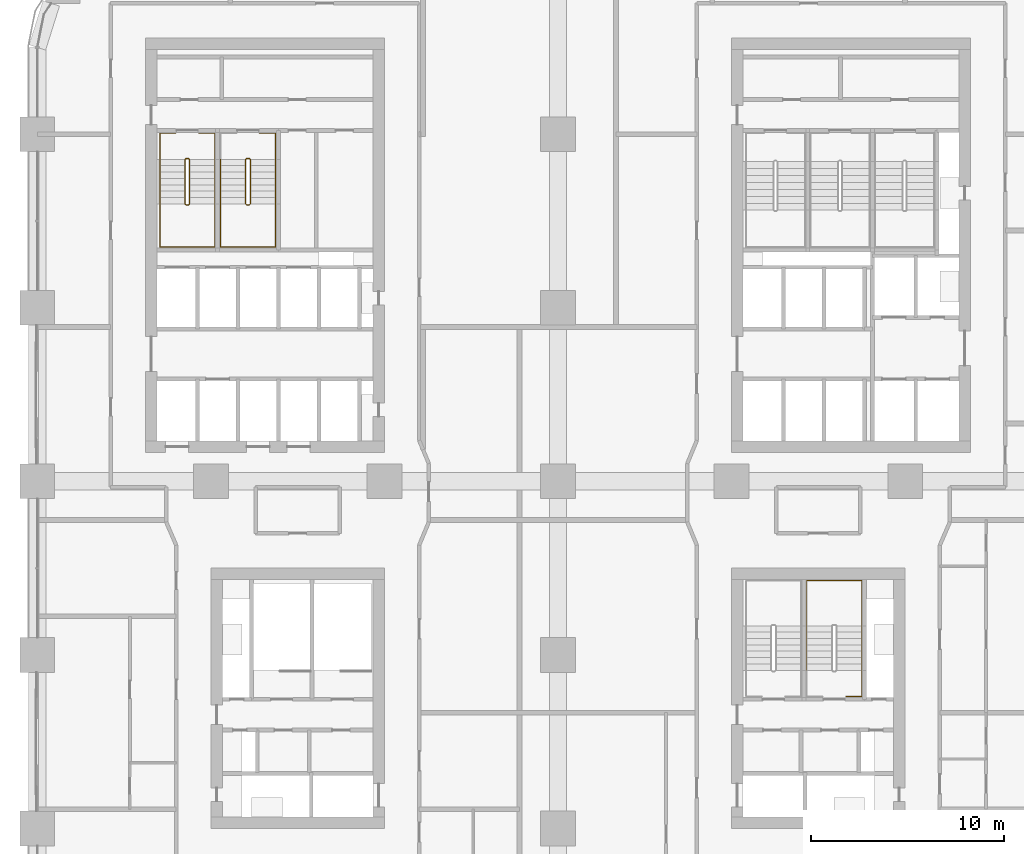
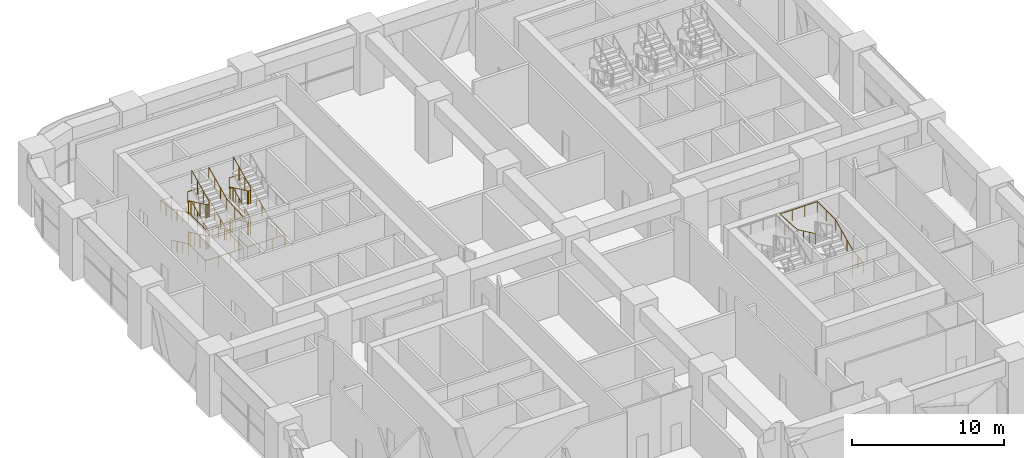
# One storey, part 24 of 26: 6 railings.
"""IFC4 building model written with IfcOpenShell, lengths in metres."""

from ifc_helpers import new_model, si_unit, direction, frame, origin, origin_2d, place, context, subcontext, project, spatial, circle, extrude, material, type_object, element, save


model = new_model("IFC4")

# Units and contexts
model_context = context("Model", 3, precision=1e-05, world=origin(), true_north=direction((0.0, 1.0)))
body_context = subcontext(model_context, "Body", "Model", "MODEL_VIEW")
ifc_project = project(units=[si_unit("LENGTHUNIT", "METRE"), si_unit("AREAUNIT", "SQUARE_METRE"), si_unit("VOLUMEUNIT", "CUBIC_METRE"), si_unit("PLANEANGLEUNIT", "RADIAN"), si_unit("MASSUNIT", "GRAM", prefix="KILO")], contexts=[model_context])

# Site, building, storey
site_placement = place(None, origin())
site = spatial("IfcSite", under=ifc_project, at=site_placement, CompositionType="ELEMENT")
building_placement = place(site_placement, origin())
building = spatial("IfcBuilding", under=site, at=building_placement, Name="Tessera Arch", CompositionType="ELEMENT")
storey_placement = place(building_placement, frame((0.0, 0.0, 72.800048828125)))
storey = spatial("IfcBuildingStorey", under=building, at=storey_placement, Name="L16", CompositionType="ELEMENT", Elevation=72.800048828125)

# Railings
ifc_material_1 = material(Name="Painted steel balustrade", Category="steel")
railing_type_1 = type_object("IfcRailingType", Name="Stair guard 1100", PredefinedType="GUARDRAIL", material=ifc_material_1)
railing_1_placement = place(storey_placement, frame((7.699951171875, 43.75, 0.0)))
element("IfcRailing", 1, at=railing_1_placement, inside=storey, type_object=railing_type_1, Name="L16 S2a stair guard 1", PredefinedType="GUARDRAIL", context=body_context, shape_type="SweptSolid", body=[
    extrude(circle(Radius=0.02392578125, at=origin_2d()), frame((-0.00390625, 0.0, 1.076171875), z_axis=(1.0, 0.0, 0.0), x_axis=(0.0, 1.0, 0.0)), (0.0, 0.0, 1.0), 0.158203125),
    extrude(circle(Radius=0.02392578125, at=origin_2d()), frame((0.1533203125, 0.000732421875, 1.07373046875), z_axis=(-0.773438643492, -0.193359660873, 0.603659429067), x_axis=(0.242535625036, -0.970142500145, 0.0)), (0.0, 0.0, 1.0), 0.266845703125),
    extrude(circle(Radius=0.02392578125, at=origin_2d()), frame((-0.050048828125, -0.04638671875, 1.23046875), z_axis=(0.0, -0.903811734687, 0.427930307694), x_axis=(1.0, 0.0, 0.0)), (0.0, 0.0, 1.0), 2.56396484375),
    extrude(circle(Radius=0.02392578125, at=origin_2d()), frame((-0.052978515625, -2.357177734375, 2.326171875), z_axis=(0.708833529934, -0.705375805398, 0.0), x_axis=(0.705375805398, 0.708833529934, 0.0)), (0.0, 0.0, 1.0), 0.07861328125),
    extrude(circle(Radius=0.02392578125, at=origin_2d()), frame((-0.00390625, -2.409912109375, 2.326171875), z_axis=(1.0, 0.0, 0.0), x_axis=(0.0, 1.0, 0.0)), (0.0, 0.0, 1.0), 0.158203125),
    extrude(circle(Radius=0.02392578125, at=origin_2d()), frame((0.14892578125, -2.4111328125, 2.322509765625), z_axis=(0.290590035384, 0.290590035384, 0.911655012969), x_axis=(-0.707106781187, 0.707106781187, 0.0)), (0.0, 0.0, 1.0), 0.179443359375),
    extrude(circle(Radius=0.02392578125, at=origin_2d()), frame((0.199951171875, -2.36376953125, 2.48046875), z_axis=(0.0, 0.903811734687, 0.427930307694), x_axis=(-1.0, 0.0, 0.0)), (0.0, 0.0, 1.0), 2.56396484375),
    extrude(circle(Radius=0.02392578125, at=origin_2d()), frame((0.203857421875, -0.051025390625, 3.576171875), z_axis=(-0.970072785993, 0.242814311512, 0.0), x_axis=(-0.242814311512, -0.970072785993, 0.0)), (0.0, 0.0, 1.0), 0.214111328125),
    extrude(circle(Radius=0.02392578125, at=origin_2d()), frame((-0.00390625, 0.0, 3.576171875), z_axis=(1.0, 0.0, 0.0), x_axis=(0.0, 1.0, 0.0)), (0.0, 0.0, 1.0), 0.158203125),
    extrude(circle(Radius=0.02392578125, at=origin_2d()), frame((0.1533203125, 0.000732421875, 3.57373046875), z_axis=(-0.773438643492, -0.193359660873, 0.603659429067), x_axis=(0.242535625036, -0.970142500145, 0.0)), (0.0, 0.0, 1.0), 0.266845703125),
    extrude(circle(Radius=0.02392578125, at=origin_2d()), frame((-0.050048828125, -0.04638671875, 3.73046875), z_axis=(0.0, -0.903811734687, 0.427930307694), x_axis=(1.0, 0.0, 0.0)), (0.0, 0.0, 1.0), 2.56396484375),
    extrude(circle(Radius=0.02392578125, at=origin_2d()), frame((-0.052978515625, -2.357177734375, 4.826171875), z_axis=(0.708833529934, -0.705375805398, 0.0), x_axis=(0.705375805398, 0.708833529934, 0.0)), (0.0, 0.0, 1.0), 0.07861328125),
    extrude(circle(Radius=0.02392578125, at=origin_2d()), frame((-0.00390625, -2.409912109375, 4.826171875), z_axis=(1.0, 0.0, 0.0), x_axis=(0.0, 1.0, 0.0)), (0.0, 0.0, 1.0), 0.158203125),
    extrude(circle(Radius=0.02392578125, at=origin_2d()), frame((0.14892578125, -2.4111328125, 4.822509765625), z_axis=(0.290590035384, 0.290590035384, 0.911655012969), x_axis=(-0.707106781187, 0.707106781187, 0.0)), (0.0, 0.0, 1.0), 0.179443359375),
    extrude(circle(Radius=0.02392578125, at=origin_2d()), frame((0.199951171875, -2.36376953125, 4.98046875), z_axis=(0.0, 0.903811734687, 0.427930307694), x_axis=(-1.0, 0.0, 0.0)), (0.0, 0.0, 1.0), 2.56396484375),
    extrude(circle(Radius=0.02099609375, at=origin_2d()), origin(), (0.0, 0.0, 1.0), 1.06396484375),
    extrude(circle(Radius=0.02099609375, at=origin_2d()), frame((0.150146484375, 0.0, 0.0)), (0.0, 0.0, 1.0), 1.06396484375),
    extrude(circle(Radius=0.02099609375, at=origin_2d()), frame((-0.050048828125, -0.050048828125, 0.15625)), (0.0, 0.0, 1.0), 1.06396484375),
    extrude(circle(Radius=0.02099609375, at=origin_2d()), frame((-0.050048828125, -0.820068359375, 0.520751953125)), (0.0, 0.0, 1.0), 1.06396484375),
    extrude(circle(Radius=0.02099609375, at=origin_2d()), frame((-0.050048828125, -1.590087890625, 0.885498046875)), (0.0, 0.0, 1.0), 1.06396484375),
    extrude(circle(Radius=0.02099609375, at=origin_2d()), frame((-0.050048828125, -2.360107421875, 1.25)), (0.0, 0.0, 1.0), 1.06396484375),
    extrude(circle(Radius=0.02099609375, at=origin_2d()), frame((0.0, -2.409912109375, 1.25)), (0.0, 0.0, 1.0), 1.06396484375),
    extrude(circle(Radius=0.02099609375, at=origin_2d()), frame((0.150146484375, -2.409912109375, 1.25)), (0.0, 0.0, 1.0), 1.06396484375),
    extrude(circle(Radius=0.02099609375, at=origin_2d()), frame((0.199951171875, -2.360107421875, 1.40625)), (0.0, 0.0, 1.0), 1.06396484375),
    extrude(circle(Radius=0.02099609375, at=origin_2d()), frame((0.199951171875, -1.590087890625, 1.770751953125)), (0.0, 0.0, 1.0), 1.06396484375),
    extrude(circle(Radius=0.02099609375, at=origin_2d()), frame((0.199951171875, -0.820068359375, 2.135498046875)), (0.0, 0.0, 1.0), 1.06396484375),
    extrude(circle(Radius=0.02099609375, at=origin_2d()), frame((0.199951171875, -0.050048828125, 2.5)), (0.0, 0.0, 1.0), 1.06396484375),
    extrude(circle(Radius=0.02099609375, at=origin_2d()), frame((0.0, 0.0, 2.5)), (0.0, 0.0, 1.0), 1.06396484375),
    extrude(circle(Radius=0.02099609375, at=origin_2d()), frame((0.150146484375, 0.0, 2.5)), (0.0, 0.0, 1.0), 1.06396484375),
    extrude(circle(Radius=0.02099609375, at=origin_2d()), frame((-0.050048828125, -0.050048828125, 2.65625)), (0.0, 0.0, 1.0), 1.06396484375),
    extrude(circle(Radius=0.02099609375, at=origin_2d()), frame((-0.050048828125, -0.820068359375, 3.020751953125)), (0.0, 0.0, 1.0), 1.06396484375),
    extrude(circle(Radius=0.02099609375, at=origin_2d()), frame((-0.050048828125, -1.590087890625, 3.385498046875)), (0.0, 0.0, 1.0), 1.06396484375),
    extrude(circle(Radius=0.02099609375, at=origin_2d()), frame((-0.050048828125, -2.360107421875, 3.75)), (0.0, 0.0, 1.0), 1.06396484375),
    extrude(circle(Radius=0.02099609375, at=origin_2d()), frame((0.0, -2.409912109375, 3.75)), (0.0, 0.0, 1.0), 1.06396484375),
    extrude(circle(Radius=0.02099609375, at=origin_2d()), frame((0.150146484375, -2.409912109375, 3.75)), (0.0, 0.0, 1.0), 1.06396484375),
    extrude(circle(Radius=0.02099609375, at=origin_2d()), frame((0.199951171875, -2.360107421875, 3.90625)), (0.0, 0.0, 1.0), 1.06396484375),
    extrude(circle(Radius=0.02099609375, at=origin_2d()), frame((0.199951171875, -1.590087890625, 4.270751953125)), (0.0, 0.0, 1.0), 1.06396484375),
    extrude(circle(Radius=0.02099609375, at=origin_2d()), frame((0.199951171875, -0.820068359375, 4.635498046875)), (0.0, 0.0, 1.0), 1.06396484375),
    extrude(circle(Radius=0.02099609375, at=origin_2d()), frame((0.199951171875, -0.050048828125, 5.0)), (0.0, 0.0, 1.0), 1.06396484375),
])
railing_2_placement = place(storey_placement, frame((10.85009765625, 43.75, 0.0)))
element("IfcRailing", 2, at=railing_2_placement, inside=storey, type_object=railing_type_1, Name="L16 S2b stair guard 1", PredefinedType="GUARDRAIL", context=body_context, shape_type="SweptSolid", body=[
    extrude(circle(Radius=0.02392578125, at=origin_2d()), frame((-0.00390625, 0.0, 1.076171875), z_axis=(1.0, 0.0, 0.0), x_axis=(0.0, 1.0, 0.0)), (0.0, 0.0, 1.0), 0.157958984375),
    extrude(circle(Radius=0.02392578125, at=origin_2d()), frame((0.153076171875, 0.000732421875, 1.07373046875), z_axis=(-0.77305925043, -0.19350078918, 0.604100024756), x_axis=(0.242814311512, -0.970072785993, 0.0)), (0.0, 0.0, 1.0), 0.2666015625),
    extrude(circle(Radius=0.02392578125, at=origin_2d()), frame((-0.050048828125, -0.04638671875, 1.23046875), z_axis=(0.0, -0.903811734687, 0.427930307694), x_axis=(1.0, 0.0, 0.0)), (0.0, 0.0, 1.0), 2.56396484375),
    extrude(circle(Radius=0.02392578125, at=origin_2d()), frame((-0.052978515625, -2.357177734375, 2.326171875), z_axis=(0.708833529934, -0.705375805398, 0.0), x_axis=(0.705375805398, 0.708833529934, 0.0)), (0.0, 0.0, 1.0), 0.07861328125),
    extrude(circle(Radius=0.02392578125, at=origin_2d()), frame((-0.00390625, -2.409912109375, 2.326171875), z_axis=(1.0, 0.0, 0.0), x_axis=(0.0, 1.0, 0.0)), (0.0, 0.0, 1.0), 0.157958984375),
    extrude(circle(Radius=0.02392578125, at=origin_2d()), frame((0.148681640625, -2.4111328125, 2.322509765625), z_axis=(0.291893400672, 0.290469530425, 0.911276958196), x_axis=(-0.705375805398, 0.708833529934, 0.0)), (0.0, 0.0, 1.0), 0.179443359375),
    extrude(circle(Radius=0.02392578125, at=origin_2d()), frame((0.199951171875, -2.36376953125, 2.48046875), z_axis=(0.0, 0.903811734687, 0.427930307694), x_axis=(-1.0, 0.0, 0.0)), (0.0, 0.0, 1.0), 2.56396484375),
    extrude(circle(Radius=0.02392578125, at=origin_2d()), frame((0.203857421875, -0.051025390625, 3.576171875), z_axis=(-0.970072785993, 0.242814311512, 0.0), x_axis=(-0.242814311512, -0.970072785993, 0.0)), (0.0, 0.0, 1.0), 0.214111328125),
    extrude(circle(Radius=0.02392578125, at=origin_2d()), frame((-0.00390625, 0.0, 3.576171875), z_axis=(1.0, 0.0, 0.0), x_axis=(0.0, 1.0, 0.0)), (0.0, 0.0, 1.0), 0.157958984375),
    extrude(circle(Radius=0.02392578125, at=origin_2d()), frame((0.153076171875, 0.000732421875, 3.57373046875), z_axis=(-0.77305925043, -0.19350078918, 0.604100024756), x_axis=(0.242814311512, -0.970072785993, 0.0)), (0.0, 0.0, 1.0), 0.2666015625),
    extrude(circle(Radius=0.02392578125, at=origin_2d()), frame((-0.050048828125, -0.04638671875, 3.73046875), z_axis=(0.0, -0.903811734687, 0.427930307694), x_axis=(1.0, 0.0, 0.0)), (0.0, 0.0, 1.0), 2.56396484375),
    extrude(circle(Radius=0.02392578125, at=origin_2d()), frame((-0.052978515625, -2.357177734375, 4.826171875), z_axis=(0.708833529934, -0.705375805398, 0.0), x_axis=(0.705375805398, 0.708833529934, 0.0)), (0.0, 0.0, 1.0), 0.07861328125),
    extrude(circle(Radius=0.02392578125, at=origin_2d()), frame((-0.00390625, -2.409912109375, 4.826171875), z_axis=(1.0, 0.0, 0.0), x_axis=(0.0, 1.0, 0.0)), (0.0, 0.0, 1.0), 0.157958984375),
    extrude(circle(Radius=0.02392578125, at=origin_2d()), frame((0.148681640625, -2.4111328125, 4.822509765625), z_axis=(0.291893400672, 0.290469530425, 0.911276958196), x_axis=(-0.705375805398, 0.708833529934, 0.0)), (0.0, 0.0, 1.0), 0.179443359375),
    extrude(circle(Radius=0.02392578125, at=origin_2d()), frame((0.199951171875, -2.36376953125, 4.98046875), z_axis=(0.0, 0.903811734687, 0.427930307694), x_axis=(-1.0, 0.0, 0.0)), (0.0, 0.0, 1.0), 2.56396484375),
    extrude(circle(Radius=0.02099609375, at=origin_2d()), origin(), (0.0, 0.0, 1.0), 1.06396484375),
    extrude(circle(Radius=0.02099609375, at=origin_2d()), frame((0.14990234375, 0.0, 0.0)), (0.0, 0.0, 1.0), 1.06396484375),
    extrude(circle(Radius=0.02099609375, at=origin_2d()), frame((-0.050048828125, -0.050048828125, 0.15625)), (0.0, 0.0, 1.0), 1.06396484375),
    extrude(circle(Radius=0.02099609375, at=origin_2d()), frame((-0.050048828125, -0.820068359375, 0.520751953125)), (0.0, 0.0, 1.0), 1.06396484375),
    extrude(circle(Radius=0.02099609375, at=origin_2d()), frame((-0.050048828125, -1.590087890625, 0.885498046875)), (0.0, 0.0, 1.0), 1.06396484375),
    extrude(circle(Radius=0.02099609375, at=origin_2d()), frame((-0.050048828125, -2.360107421875, 1.25)), (0.0, 0.0, 1.0), 1.06396484375),
    extrude(circle(Radius=0.02099609375, at=origin_2d()), frame((0.0, -2.409912109375, 1.25)), (0.0, 0.0, 1.0), 1.06396484375),
    extrude(circle(Radius=0.02099609375, at=origin_2d()), frame((0.14990234375, -2.409912109375, 1.25)), (0.0, 0.0, 1.0), 1.06396484375),
    extrude(circle(Radius=0.02099609375, at=origin_2d()), frame((0.199951171875, -2.360107421875, 1.40625)), (0.0, 0.0, 1.0), 1.06396484375),
    extrude(circle(Radius=0.02099609375, at=origin_2d()), frame((0.199951171875, -1.590087890625, 1.770751953125)), (0.0, 0.0, 1.0), 1.06396484375),
    extrude(circle(Radius=0.02099609375, at=origin_2d()), frame((0.199951171875, -0.820068359375, 2.135498046875)), (0.0, 0.0, 1.0), 1.06396484375),
    extrude(circle(Radius=0.02099609375, at=origin_2d()), frame((0.199951171875, -0.050048828125, 2.5)), (0.0, 0.0, 1.0), 1.06396484375),
    extrude(circle(Radius=0.02099609375, at=origin_2d()), frame((0.0, 0.0, 2.5)), (0.0, 0.0, 1.0), 1.06396484375),
    extrude(circle(Radius=0.02099609375, at=origin_2d()), frame((0.14990234375, 0.0, 2.5)), (0.0, 0.0, 1.0), 1.06396484375),
    extrude(circle(Radius=0.02099609375, at=origin_2d()), frame((-0.050048828125, -0.050048828125, 2.65625)), (0.0, 0.0, 1.0), 1.06396484375),
    extrude(circle(Radius=0.02099609375, at=origin_2d()), frame((-0.050048828125, -0.820068359375, 3.020751953125)), (0.0, 0.0, 1.0), 1.06396484375),
    extrude(circle(Radius=0.02099609375, at=origin_2d()), frame((-0.050048828125, -1.590087890625, 3.385498046875)), (0.0, 0.0, 1.0), 1.06396484375),
    extrude(circle(Radius=0.02099609375, at=origin_2d()), frame((-0.050048828125, -2.360107421875, 3.75)), (0.0, 0.0, 1.0), 1.06396484375),
    extrude(circle(Radius=0.02099609375, at=origin_2d()), frame((0.0, -2.409912109375, 3.75)), (0.0, 0.0, 1.0), 1.06396484375),
    extrude(circle(Radius=0.02099609375, at=origin_2d()), frame((0.14990234375, -2.409912109375, 3.75)), (0.0, 0.0, 1.0), 1.06396484375),
    extrude(circle(Radius=0.02099609375, at=origin_2d()), frame((0.199951171875, -2.360107421875, 3.90625)), (0.0, 0.0, 1.0), 1.06396484375),
    extrude(circle(Radius=0.02099609375, at=origin_2d()), frame((0.199951171875, -1.590087890625, 4.270751953125)), (0.0, 0.0, 1.0), 1.06396484375),
    extrude(circle(Radius=0.02099609375, at=origin_2d()), frame((0.199951171875, -0.820068359375, 4.635498046875)), (0.0, 0.0, 1.0), 1.06396484375),
    extrude(circle(Radius=0.02099609375, at=origin_2d()), frame((0.199951171875, -0.050048828125, 5.0)), (0.0, 0.0, 1.0), 1.06396484375),
])
ifc_material_2 = material(Name="Painted steel handrail", Category="steel")
railing_type_2 = type_object("IfcRailingType", Name="Stair handrail 900", PredefinedType="HANDRAIL", material=ifc_material_2)
railing_3_placement = place(storey_placement, frame((6.35009765625, 43.699951171875, 0.15625)))
element("IfcRailing", 3, at=railing_3_placement, inside=storey, type_object=railing_type_2, Name="L16 S2a stair handrail", PredefinedType="HANDRAIL", context=body_context, shape_type="SweptSolid", body=[
    extrude(circle(Radius=0.02392578125, at=origin_2d()), frame((0.0, 0.003662109375, 0.8740234375), z_axis=(0.0, -0.903811734687, 0.427930307694), x_axis=(1.0, 0.0, 0.0)), (0.0, 0.0, 1.0), 2.56396484375),
    extrude(circle(Radius=0.02392578125, at=origin_2d()), frame((0.0, -2.30615234375, 1.9697265625), z_axis=(0.0, -1.0, 0.0), x_axis=(1.0, 0.0, 0.0)), (0.0, 0.0, 1.0), 2.248046875),
    extrude(circle(Radius=0.02392578125, at=origin_2d()), frame((-0.00390625, -4.550048828125, 1.9697265625), z_axis=(1.0, 0.0, 0.0), x_axis=(0.0, 1.0, 0.0)), (0.0, 0.0, 1.0), 2.85791015625),
    extrude(circle(Radius=0.02392578125, at=origin_2d()), frame((2.849853515625, -4.553955078125, 1.96923828125), z_axis=(0.0, 0.997575978536, 0.069585681337), x_axis=(-1.0, 0.0, 0.0)), (0.0, 0.0, 1.0), 2.25341796875),
    extrude(circle(Radius=0.02392578125, at=origin_2d()), frame((2.849853515625, -2.313720703125, 2.1240234375), z_axis=(0.0, 0.903811734687, 0.427930307694), x_axis=(-1.0, 0.0, 0.0)), (0.0, 0.0, 1.0), 2.56396484375),
    extrude(circle(Radius=0.02392578125, at=origin_2d()), frame((2.849853515625, -0.00390625, 3.2197265625), z_axis=(0.0, 1.0, 0.0), x_axis=(-1.0, 0.0, 0.0)), (0.0, 0.0, 1.0), 1.358154296875),
    extrude(circle(Radius=0.02392578125, at=origin_2d()), frame((2.853759765625, 1.35009765625, 3.2197265625), z_axis=(-1.0, 0.0, 0.0), x_axis=(0.0, -1.0, 0.0)), (0.0, 0.0, 1.0), 0.8330078125),
    extrude(circle(Radius=0.02099609375, at=origin_2d()), origin(), (0.0, 0.0, 1.0), 0.86376953125),
    extrude(circle(Radius=0.02099609375, at=origin_2d()), frame((0.0, -0.77001953125, 0.364501953125)), (0.0, 0.0, 1.0), 0.86376953125),
    extrude(circle(Radius=0.02099609375, at=origin_2d()), frame((0.0, -1.5400390625, 0.729248046875)), (0.0, 0.0, 1.0), 0.86376953125),
    extrude(circle(Radius=0.02099609375, at=origin_2d()), frame((0.0, -2.31005859375, 1.09375)), (0.0, 0.0, 1.0), 0.86376953125),
    extrude(circle(Radius=0.02099609375, at=origin_2d()), frame((0.0, -3.43017578125, 1.09375)), (0.0, 0.0, 1.0), 0.86376953125),
    extrude(circle(Radius=0.02099609375, at=origin_2d()), frame((0.0, -4.550048828125, 1.09375)), (0.0, 0.0, 1.0), 0.86376953125),
    extrude(circle(Radius=0.02099609375, at=origin_2d()), frame((0.949951171875, -4.550048828125, 1.09375)), (0.0, 0.0, 1.0), 0.86376953125),
    extrude(circle(Radius=0.02099609375, at=origin_2d()), frame((1.89990234375, -4.550048828125, 1.09375)), (0.0, 0.0, 1.0), 0.86376953125),
    extrude(circle(Radius=0.02099609375, at=origin_2d()), frame((2.849853515625, -4.550048828125, 1.09375)), (0.0, 0.0, 1.0), 0.86376953125),
    extrude(circle(Radius=0.02099609375, at=origin_2d()), frame((2.849853515625, -3.43017578125, 1.171875)), (0.0, 0.0, 1.0), 0.86376953125),
    extrude(circle(Radius=0.02099609375, at=origin_2d()), frame((2.849853515625, -2.31005859375, 1.25)), (0.0, 0.0, 1.0), 0.86376953125),
    extrude(circle(Radius=0.02099609375, at=origin_2d()), frame((2.849853515625, -1.5400390625, 1.614501953125)), (0.0, 0.0, 1.0), 0.86376953125),
    extrude(circle(Radius=0.02099609375, at=origin_2d()), frame((2.849853515625, -0.77001953125, 1.979248046875)), (0.0, 0.0, 1.0), 0.86376953125),
    extrude(circle(Radius=0.02099609375, at=origin_2d()), frame((2.849853515625, 0.0, 2.34375)), (0.0, 0.0, 1.0), 0.86376953125),
    extrude(circle(Radius=0.02099609375, at=origin_2d()), frame((2.849853515625, 0.675048828125, 2.34375)), (0.0, 0.0, 1.0), 0.86376953125),
    extrude(circle(Radius=0.02099609375, at=origin_2d()), frame((2.849853515625, 1.35009765625, 2.34375)), (0.0, 0.0, 1.0), 0.86376953125),
    extrude(circle(Radius=0.02099609375, at=origin_2d()), frame((2.02490234375, 1.35009765625, 2.34375)), (0.0, 0.0, 1.0), 0.86376953125),
])
railing_4_placement = place(storey_placement, frame((7.175048828125, 45.050048828125, 2.5)))
element("IfcRailing", 4, at=railing_4_placement, inside=storey, type_object=railing_type_2, Name="L16 S2a stair handrail 2", PredefinedType="HANDRAIL", context=body_context, shape_type="SweptSolid", body=[
    extrude(circle(Radius=0.02392578125, at=origin_2d()), frame((0.00390625, 0.0, 0.8759765625), z_axis=(-1.0, 0.0, 0.0), x_axis=(0.0, -1.0, 0.0)), (0.0, 0.0, 1.0), 0.8330078125),
    extrude(circle(Radius=0.02392578125, at=origin_2d()), frame((-0.824951171875, 0.00390625, 0.87548828125), z_axis=(0.0, -0.99336954172, 0.114965010253), x_axis=(1.0, 0.0, 0.0)), (0.0, 0.0, 1.0), 1.3671875),
    extrude(circle(Radius=0.02392578125, at=origin_2d()), frame((-0.824951171875, -1.346435546875, 1.0302734375), z_axis=(0.0, -0.903811734687, 0.427930307694), x_axis=(1.0, 0.0, 0.0)), (0.0, 0.0, 1.0), 2.56396484375),
    extrude(circle(Radius=0.02392578125, at=origin_2d()), frame((-0.824951171875, -3.65625, 2.1259765625), z_axis=(0.0, -1.0, 0.0), x_axis=(1.0, 0.0, 0.0)), (0.0, 0.0, 1.0), 2.248046875),
    extrude(circle(Radius=0.02392578125, at=origin_2d()), frame((-0.828857421875, -5.900146484375, 2.1259765625), z_axis=(1.0, 0.0, 0.0), x_axis=(0.0, 1.0, 0.0)), (0.0, 0.0, 1.0), 2.85791015625),
    extrude(circle(Radius=0.02392578125, at=origin_2d()), frame((2.02490234375, -5.904052734375, 2.12548828125), z_axis=(0.0, 0.997575978536, 0.069585681337), x_axis=(-1.0, 0.0, 0.0)), (0.0, 0.0, 1.0), 2.25341796875),
    extrude(circle(Radius=0.02392578125, at=origin_2d()), frame((2.02490234375, -3.663818359375, 2.2802734375), z_axis=(0.0, 0.903811734687, 0.427930307694), x_axis=(-1.0, 0.0, 0.0)), (0.0, 0.0, 1.0), 2.56396484375),
    extrude(circle(Radius=0.02099609375, at=origin_2d()), origin(), (0.0, 0.0, 1.0), 0.86376953125),
    extrude(circle(Radius=0.02099609375, at=origin_2d()), frame((-0.824951171875, 0.0, 0.0)), (0.0, 0.0, 1.0), 0.86376953125),
    extrude(circle(Radius=0.02099609375, at=origin_2d()), frame((-0.824951171875, -0.675048828125, 0.078125)), (0.0, 0.0, 1.0), 0.86376953125),
    extrude(circle(Radius=0.02099609375, at=origin_2d()), frame((-0.824951171875, -1.35009765625, 0.15625)), (0.0, 0.0, 1.0), 0.86376953125),
    extrude(circle(Radius=0.02099609375, at=origin_2d()), frame((-0.824951171875, -2.1201171875, 0.520751953125)), (0.0, 0.0, 1.0), 0.86376953125),
    extrude(circle(Radius=0.02099609375, at=origin_2d()), frame((-0.824951171875, -2.89013671875, 0.885498046875)), (0.0, 0.0, 1.0), 0.86376953125),
    extrude(circle(Radius=0.02099609375, at=origin_2d()), frame((-0.824951171875, -3.66015625, 1.25)), (0.0, 0.0, 1.0), 0.86376953125),
    extrude(circle(Radius=0.02099609375, at=origin_2d()), frame((-0.824951171875, -4.7802734375, 1.25)), (0.0, 0.0, 1.0), 0.86376953125),
    extrude(circle(Radius=0.02099609375, at=origin_2d()), frame((-0.824951171875, -5.900146484375, 1.25)), (0.0, 0.0, 1.0), 0.86376953125),
    extrude(circle(Radius=0.02099609375, at=origin_2d()), frame((0.125, -5.900146484375, 1.25)), (0.0, 0.0, 1.0), 0.86376953125),
    extrude(circle(Radius=0.02099609375, at=origin_2d()), frame((1.074951171875, -5.900146484375, 1.25)), (0.0, 0.0, 1.0), 0.86376953125),
    extrude(circle(Radius=0.02099609375, at=origin_2d()), frame((2.02490234375, -5.900146484375, 1.25)), (0.0, 0.0, 1.0), 0.86376953125),
    extrude(circle(Radius=0.02099609375, at=origin_2d()), frame((2.02490234375, -4.7802734375, 1.328125)), (0.0, 0.0, 1.0), 0.86376953125),
    extrude(circle(Radius=0.02099609375, at=origin_2d()), frame((2.02490234375, -3.66015625, 1.40625)), (0.0, 0.0, 1.0), 0.86376953125),
    extrude(circle(Radius=0.02099609375, at=origin_2d()), frame((2.02490234375, -2.89013671875, 1.770751953125)), (0.0, 0.0, 1.0), 0.86376953125),
    extrude(circle(Radius=0.02099609375, at=origin_2d()), frame((2.02490234375, -2.1201171875, 2.135498046875)), (0.0, 0.0, 1.0), 0.86376953125),
    extrude(circle(Radius=0.02099609375, at=origin_2d()), frame((2.02490234375, -1.35009765625, 2.5)), (0.0, 0.0, 1.0), 0.86376953125),
])
railing_5_placement = place(storey_placement, frame((9.5, 43.699951171875, 0.15625)))
element("IfcRailing", 5, at=railing_5_placement, inside=storey, type_object=railing_type_2, Name="L16 S2b stair handrail", PredefinedType="HANDRAIL", context=body_context, shape_type="SweptSolid", body=[
    extrude(circle(Radius=0.02392578125, at=origin_2d()), frame((0.0, 0.003662109375, 0.8740234375), z_axis=(0.0, -0.903811734687, 0.427930307694), x_axis=(1.0, 0.0, 0.0)), (0.0, 0.0, 1.0), 2.56396484375),
    extrude(circle(Radius=0.02392578125, at=origin_2d()), frame((0.0, -2.30615234375, 1.9697265625), z_axis=(0.0, -1.0, 0.0), x_axis=(1.0, 0.0, 0.0)), (0.0, 0.0, 1.0), 2.248046875),
    extrude(circle(Radius=0.02392578125, at=origin_2d()), frame((-0.00390625, -4.550048828125, 1.9697265625), z_axis=(1.0, 0.0, 0.0), x_axis=(0.0, 1.0, 0.0)), (0.0, 0.0, 1.0), 2.858154296875),
    extrude(circle(Radius=0.02392578125, at=origin_2d()), frame((2.85009765625, -4.553955078125, 1.96923828125), z_axis=(0.0, 0.997575978536, 0.069585681337), x_axis=(-1.0, 0.0, 0.0)), (0.0, 0.0, 1.0), 2.25341796875),
    extrude(circle(Radius=0.02392578125, at=origin_2d()), frame((2.85009765625, -2.313720703125, 2.1240234375), z_axis=(0.0, 0.903811734687, 0.427930307694), x_axis=(-1.0, 0.0, 0.0)), (0.0, 0.0, 1.0), 2.56396484375),
    extrude(circle(Radius=0.02392578125, at=origin_2d()), frame((2.85009765625, -0.00390625, 3.2197265625), z_axis=(0.0, 1.0, 0.0), x_axis=(-1.0, 0.0, 0.0)), (0.0, 0.0, 1.0), 1.358154296875),
    extrude(circle(Radius=0.02392578125, at=origin_2d()), frame((2.85400390625, 1.35009765625, 3.2197265625), z_axis=(-1.0, 0.0, 0.0), x_axis=(0.0, -1.0, 0.0)), (0.0, 0.0, 1.0), 0.833251953125),
    extrude(circle(Radius=0.02099609375, at=origin_2d()), origin(), (0.0, 0.0, 1.0), 0.86376953125),
    extrude(circle(Radius=0.02099609375, at=origin_2d()), frame((0.0, -0.77001953125, 0.364501953125)), (0.0, 0.0, 1.0), 0.86376953125),
    extrude(circle(Radius=0.02099609375, at=origin_2d()), frame((0.0, -1.5400390625, 0.729248046875)), (0.0, 0.0, 1.0), 0.86376953125),
    extrude(circle(Radius=0.02099609375, at=origin_2d()), frame((0.0, -2.31005859375, 1.09375)), (0.0, 0.0, 1.0), 0.86376953125),
    extrude(circle(Radius=0.02099609375, at=origin_2d()), frame((0.0, -3.43017578125, 1.09375)), (0.0, 0.0, 1.0), 0.86376953125),
    extrude(circle(Radius=0.02099609375, at=origin_2d()), frame((0.0, -4.550048828125, 1.09375)), (0.0, 0.0, 1.0), 0.86376953125),
    extrude(circle(Radius=0.02099609375, at=origin_2d()), frame((0.949951171875, -4.550048828125, 1.09375)), (0.0, 0.0, 1.0), 0.86376953125),
    extrude(circle(Radius=0.02099609375, at=origin_2d()), frame((1.900146484375, -4.550048828125, 1.09375)), (0.0, 0.0, 1.0), 0.86376953125),
    extrude(circle(Radius=0.02099609375, at=origin_2d()), frame((2.85009765625, -4.550048828125, 1.09375)), (0.0, 0.0, 1.0), 0.86376953125),
    extrude(circle(Radius=0.02099609375, at=origin_2d()), frame((2.85009765625, -3.43017578125, 1.171875)), (0.0, 0.0, 1.0), 0.86376953125),
    extrude(circle(Radius=0.02099609375, at=origin_2d()), frame((2.85009765625, -2.31005859375, 1.25)), (0.0, 0.0, 1.0), 0.86376953125),
    extrude(circle(Radius=0.02099609375, at=origin_2d()), frame((2.85009765625, -1.5400390625, 1.614501953125)), (0.0, 0.0, 1.0), 0.86376953125),
    extrude(circle(Radius=0.02099609375, at=origin_2d()), frame((2.85009765625, -0.77001953125, 1.979248046875)), (0.0, 0.0, 1.0), 0.86376953125),
    extrude(circle(Radius=0.02099609375, at=origin_2d()), frame((2.85009765625, 0.0, 2.34375)), (0.0, 0.0, 1.0), 0.86376953125),
    extrude(circle(Radius=0.02099609375, at=origin_2d()), frame((2.85009765625, 0.675048828125, 2.34375)), (0.0, 0.0, 1.0), 0.86376953125),
    extrude(circle(Radius=0.02099609375, at=origin_2d()), frame((2.85009765625, 1.35009765625, 2.34375)), (0.0, 0.0, 1.0), 0.86376953125),
    extrude(circle(Radius=0.02099609375, at=origin_2d()), frame((2.02490234375, 1.35009765625, 2.34375)), (0.0, 0.0, 1.0), 0.86376953125),
])
railing_6_placement = place(storey_placement, frame((41.925048828125, 15.85009765625, 2.5)))
element("IfcRailing", 6, at=railing_6_placement, inside=storey, type_object=railing_type_2, Name="L16 S3b stair handrail 2", PredefinedType="HANDRAIL", context=body_context, shape_type="SweptSolid", body=[
    extrude(circle(Radius=0.02392578125, at=origin_2d()), frame((-0.00390625, 0.0, 0.8759765625), z_axis=(1.0, 0.0, 0.0), x_axis=(0.0, 1.0, 0.0)), (0.0, 0.0, 1.0), 0.8330078125),
    extrude(circle(Radius=0.02392578125, at=origin_2d()), frame((0.824951171875, -0.00390625, 0.87548828125), z_axis=(0.0, 0.993367166886, 0.114985528451), x_axis=(-1.0, 0.0, 0.0)), (0.0, 0.0, 1.0), 1.366943359375),
    extrude(circle(Radius=0.02392578125, at=origin_2d()), frame((0.824951171875, 1.34619140625, 1.0302734375), z_axis=(0.0, 0.903811734687, 0.427930307694), x_axis=(-1.0, 0.0, 0.0)), (0.0, 0.0, 1.0), 2.56396484375),
    extrude(circle(Radius=0.02392578125, at=origin_2d()), frame((0.824951171875, 3.656005859375, 2.1259765625), z_axis=(0.0, 1.0, 0.0), x_axis=(-1.0, 0.0, 0.0)), (0.0, 0.0, 1.0), 2.34814453125),
    extrude(circle(Radius=0.02392578125, at=origin_2d()), frame((0.828857421875, 6.0, 2.1259765625), z_axis=(-1.0, 0.0, 0.0), x_axis=(0.0, -1.0, 0.0)), (0.0, 0.0, 1.0), 2.858154296875),
    extrude(circle(Radius=0.02392578125, at=origin_2d()), frame((-2.025146484375, 6.00390625, 2.12548828125), z_axis=(0.0, -0.997778243323, 0.066622647441), x_axis=(1.0, 0.0, 0.0)), (0.0, 0.0, 1.0), 2.353271484375),
    extrude(circle(Radius=0.02392578125, at=origin_2d()), frame((-2.025146484375, 3.66357421875, 2.2802734375), z_axis=(0.0, -0.903811734687, 0.427930307694), x_axis=(1.0, 0.0, 0.0)), (0.0, 0.0, 1.0), 2.56396484375),
    extrude(circle(Radius=0.02099609375, at=origin_2d()), origin(), (0.0, 0.0, 1.0), 0.86376953125),
    extrude(circle(Radius=0.02099609375, at=origin_2d()), frame((0.824951171875, 0.0, 0.0)), (0.0, 0.0, 1.0), 0.86376953125),
    extrude(circle(Radius=0.02099609375, at=origin_2d()), frame((0.824951171875, 0.6748046875, 0.078125)), (0.0, 0.0, 1.0), 0.86376953125),
    extrude(circle(Radius=0.02099609375, at=origin_2d()), frame((0.824951171875, 1.349853515625, 0.15625)), (0.0, 0.0, 1.0), 0.86376953125),
    extrude(circle(Radius=0.02099609375, at=origin_2d()), frame((0.824951171875, 2.119873046875, 0.520751953125)), (0.0, 0.0, 1.0), 0.86376953125),
    extrude(circle(Radius=0.02099609375, at=origin_2d()), frame((0.824951171875, 2.889892578125, 0.885498046875)), (0.0, 0.0, 1.0), 0.86376953125),
    extrude(circle(Radius=0.02099609375, at=origin_2d()), frame((0.824951171875, 3.659912109375, 1.25)), (0.0, 0.0, 1.0), 0.86376953125),
    extrude(circle(Radius=0.02099609375, at=origin_2d()), frame((0.824951171875, 4.830078125, 1.25)), (0.0, 0.0, 1.0), 0.86376953125),
    extrude(circle(Radius=0.02099609375, at=origin_2d()), frame((0.824951171875, 6.0, 1.25)), (0.0, 0.0, 1.0), 0.86376953125),
    extrude(circle(Radius=0.02099609375, at=origin_2d()), frame((-0.125, 6.0, 1.25)), (0.0, 0.0, 1.0), 0.86376953125),
    extrude(circle(Radius=0.02099609375, at=origin_2d()), frame((-1.0751953125, 6.0, 1.25)), (0.0, 0.0, 1.0), 0.86376953125),
    extrude(circle(Radius=0.02099609375, at=origin_2d()), frame((-2.025146484375, 6.0, 1.25)), (0.0, 0.0, 1.0), 0.86376953125),
    extrude(circle(Radius=0.02099609375, at=origin_2d()), frame((-2.025146484375, 4.830078125, 1.328125)), (0.0, 0.0, 1.0), 0.86376953125),
    extrude(circle(Radius=0.02099609375, at=origin_2d()), frame((-2.025146484375, 3.659912109375, 1.40625)), (0.0, 0.0, 1.0), 0.86376953125),
    extrude(circle(Radius=0.02099609375, at=origin_2d()), frame((-2.025146484375, 2.889892578125, 1.770751953125)), (0.0, 0.0, 1.0), 0.86376953125),
    extrude(circle(Radius=0.02099609375, at=origin_2d()), frame((-2.025146484375, 2.119873046875, 2.135498046875)), (0.0, 0.0, 1.0), 0.86376953125),
    extrude(circle(Radius=0.02099609375, at=origin_2d()), frame((-2.025146484375, 1.349853515625, 2.5)), (0.0, 0.0, 1.0), 0.86376953125),
])

save(model, "model.ifc")
